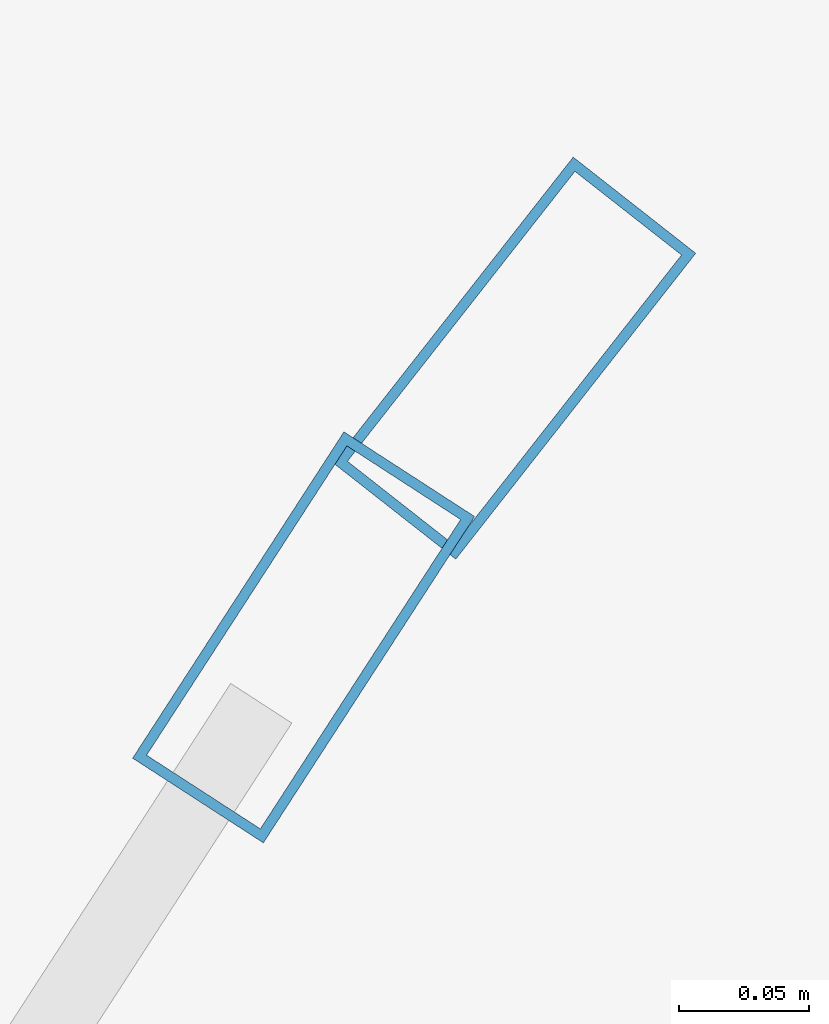
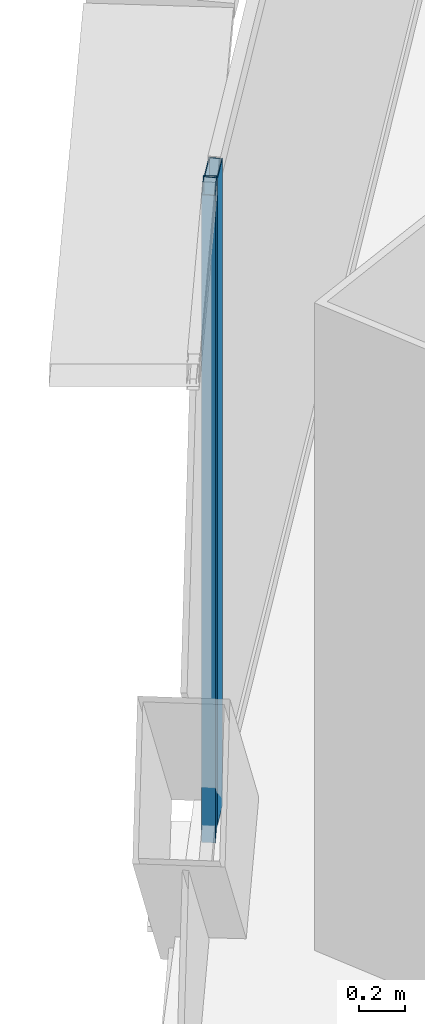
# One storey, part 20 of 40: 2 members, 2 elements without a shape of their own.
"""IFC4 building model written with IfcOpenShell, lengths in metres."""

import ifcopenshell
import ifcopenshell.guid

model = None  # the IFC model being written
_history = None  # IfcOwnerHistory: only IFC2X3 demands one
_inside = {}  # id of a spatial element -> (the spatial element, [elements in it])
_under = {}  # id of a project, library or spatial element -> (it, [spatial elements below it])
_declared = {}  # id of a project -> (the project, [libraries it declares])
_typed = {}  # id of a type object -> (the type object, [elements of that type])
_made_of = {}  # id of a material, layer set ... -> (it, [elements and type objects made of it])


def new_model(schema):
    """Start an empty IFC model of exactly this schema.

    Asked for "IFC4X3", IfcOpenShell would pick the latest addendum, in which some entities
    have other attributes; the version numbers below select the first issue.
    IFC2X3 requires an IfcOwnerHistory on every rooted entity: one is made here for all.
    """
    global model, _history
    if schema == "IFC4X3":
        model = ifcopenshell.file(schema_version=(4, 3, 0, 0))
    else:
        model = ifcopenshell.file(schema=schema)
    _inside.clear()
    _under.clear()
    _declared.clear()
    _typed.clear()
    _made_of.clear()
    _history = None
    if model.schema == "IFC2X3":
        org = make("IfcOrganization", Name="unknown")
        user = make(
            "IfcPersonAndOrganization",
            ThePerson=make("IfcPerson", FamilyName="unknown"),
            TheOrganization=org,
        )
        app = make(
            "IfcApplication",
            ApplicationDeveloper=org,
            Version="unknown",
            ApplicationFullName="unknown",
            ApplicationIdentifier="unknown",
        )
        _history = make(
            "IfcOwnerHistory",
            OwningUser=user,
            OwningApplication=app,
            ChangeAction="ADDED",
            CreationDate=0,
        )
    return model


def make(cls, **values):
    """One entity of the class cls with the attributes given. An attribute that is None is left unset."""
    return model.create_entity(
        cls, **{name: value for name, value in values.items() if value is not None}
    )


def rooted(cls, **values):
    """An entity with a GlobalId (a new one), such as an element, a storey or a relation."""
    return make(cls, GlobalId=ifcopenshell.guid.new(), OwnerHistory=_history, **values)


def si_unit(unit_type, name, prefix=None):
    """IfcSIUnit, for example si_unit("LENGTHUNIT", "METRE", prefix="MILLI")."""
    return make("IfcSIUnit", UnitType=unit_type, Prefix=prefix, Name=name)


def assignment(units):
    """IfcUnitAssignment: the units of a project."""
    return None if units is None else make("IfcUnitAssignment", Units=units)


def point(xyz):
    """IfcCartesianPoint."""
    return None if xyz is None else make("IfcCartesianPoint", Coordinates=xyz)


def direction(xyz):
    """IfcDirection."""
    return None if xyz is None else make("IfcDirection", DirectionRatios=xyz)


def frame(location, z_axis=None, x_axis=None):
    """IfcAxis2Placement3D, a coordinate frame: its origin and axes. An axis left out is left unset."""
    return make(
        "IfcAxis2Placement3D",
        Location=point(location),
        Axis=direction(z_axis),
        RefDirection=direction(x_axis),
    )


def frame_2d(location, x_axis=None):
    """IfcAxis2Placement2D, a coordinate frame in the plane: its origin and x axis."""
    return make(
        "IfcAxis2Placement2D", Location=point(location), RefDirection=direction(x_axis)
    )


def origin():
    """The frame at (0, 0, 0) with its axes left unset."""
    return frame((0.0, 0.0, 0.0))


def origin_2d():
    """The frame at (0, 0) in the plane with its x axis left unset."""
    return frame_2d((0.0, 0.0))


def place(relative_to, where):
    """IfcLocalPlacement: puts the frame where relative to a parent placement (None: the world)."""
    return make(
        "IfcLocalPlacement", PlacementRelTo=relative_to, RelativePlacement=where
    )


def context(
    kind, dimensions, precision=None, world=None, true_north=None, identifier=None
):
    """IfcGeometricRepresentationContext, for example the 3D "Model" context."""
    return make(
        "IfcGeometricRepresentationContext",
        ContextIdentifier=identifier,
        ContextType=kind,
        CoordinateSpaceDimension=dimensions,
        Precision=precision,
        WorldCoordinateSystem=world,
        TrueNorth=true_north,
    )


def subcontext(parent, identifier, kind, view, scale=None):
    """IfcGeometricRepresentationSubContext, for example "Body" below "Model"."""
    return make(
        "IfcGeometricRepresentationSubContext",
        ContextIdentifier=identifier,
        ContextType=kind,
        ParentContext=parent,
        TargetScale=scale,
        TargetView=view,
    )


def project(units=None, contexts=None):
    """IfcProject with its units and contexts."""
    return rooted(
        "IfcProject",
        Name="project",
        RepresentationContexts=contexts,
        UnitsInContext=assignment(units),
    )


def spatial(cls, under=None, at=None, **own):
    """A site, building, storey or space (cls), placed at a placement, below another one or the project."""
    s = rooted(cls, ObjectPlacement=at, **own)
    if under is not None:
        _under.setdefault(under.id(), (under, []))[1].append(s)
    return s


def profile(cls, at=None, kind="AREA", **sizes):
    """A parametric profile (cls). Its sizes go by their IFC names, for example OverallWidth=200.0."""
    return make(cls, ProfileType=kind, Position=at, **sizes)


def hollow_rectangle(**sizes):
    """IfcRectangleHollowProfileDef."""
    return profile("IfcRectangleHollowProfileDef", **sizes)


def extrude(swept, where, along, depth):
    """IfcExtrudedAreaSolid: the profile swept, set in the frame where, extruded along a direction by depth."""
    return make(
        "IfcExtrudedAreaSolid",
        SweptArea=swept,
        Position=where,
        ExtrudedDirection=direction(along),
        Depth=depth,
    )


def shape(context_of_items, identifier, shape_type, items):
    """IfcShapeRepresentation: the items that make up one representation, for example the "Body"."""
    return make(
        "IfcShapeRepresentation",
        ContextOfItems=context_of_items,
        RepresentationIdentifier=identifier,
        RepresentationType=shape_type,
        Items=items,
    )


def source(mapping_origin, context_of_items, identifier, shape_type, items):
    """IfcRepresentationMap: a shape defined once, which mapped items show again and again."""
    return make(
        "IfcRepresentationMap",
        MappingOrigin=mapping_origin,
        MappedRepresentation=shape(context_of_items, identifier, shape_type, items),
    )


def transform(
    local_origin,
    x_axis=None,
    y_axis=None,
    z_axis=None,
    scale=None,
    scale2=None,
    scale3=None,
    uniform=True,
):
    """IfcCartesianTransformationOperator3D, or its non-uniform kind. x_axis, y_axis, z_axis: its Axis1, 2, 3."""
    if uniform:
        return make(
            "IfcCartesianTransformationOperator3D",
            Axis1=direction(x_axis),
            Axis2=direction(y_axis),
            LocalOrigin=point(local_origin),
            Scale=scale,
            Axis3=direction(z_axis),
        )
    return make(
        "IfcCartesianTransformationOperator3DnonUniform",
        Axis1=direction(x_axis),
        Axis2=direction(y_axis),
        LocalOrigin=point(local_origin),
        Scale=scale,
        Axis3=direction(z_axis),
        Scale2=scale2,
        Scale3=scale3,
    )


def mapped(mapping_source, mapping_target):
    """IfcMappedItem: shows the shape of a source again, moved by a transform."""
    return make(
        "IfcMappedItem", MappingSource=mapping_source, MappingTarget=mapping_target
    )


def material(Name=None, Category=None):
    """IfcMaterial."""
    return make("IfcMaterial", Name=Name, Category=Category)


def layer(
    of_material, thickness, ventilated=None, Name=None, Category=None, Priority=None
):
    """IfcMaterialLayer: one layer of a wall or slab, of a material (None: an air gap)."""
    return make(
        "IfcMaterialLayer",
        Material=of_material,
        LayerThickness=thickness,
        IsVentilated=ventilated,
        Name=Name,
        Category=Category,
        Priority=Priority,
    )


def layer_set(layers, Name=None):
    """IfcMaterialLayerSet."""
    return make("IfcMaterialLayerSet", MaterialLayers=layers, LayerSetName=Name)


def material_profile(
    of_material, cross_section, Name=None, Category=None, Priority=None
):
    """IfcMaterialProfile: a cross section and its material."""
    return make(
        "IfcMaterialProfile",
        Name=Name,
        Material=of_material,
        Profile=cross_section,
        Priority=Priority,
        Category=Category,
    )


def profile_set(profiles, Name=None, composite=None):
    """IfcMaterialProfileSet."""
    return make(
        "IfcMaterialProfileSet",
        Name=Name,
        MaterialProfiles=profiles,
        CompositeProfile=composite,
    )


def made_of(thing, what):
    """Note that an element or type object is made of a material, layer set ...; save() writes the relation."""
    if what is not None:
        _made_of.setdefault(what.id(), (what, []))[1].append(thing)
    return thing


def type_object(cls, material=None, **own):
    """A type object (cls), such as IfcWallType, which elements share."""
    return made_of(rooted(cls, **own), material)


def element(
    cls,
    number,
    at=None,
    inside=None,
    cuts=None,
    type_object=None,
    material=None,
    context=None,
    identifier="Body",
    shape_type=None,
    held_by="IfcProductDefinitionShape",
    body=None,
    shapes=None,
    **own,
):
    """One element of the class cls, such as IfcWall. Its Tag is "e" and its number.

    at: its placement. inside: the storey or other place that contains it. cuts: it is an
    opening in that element (IfcRelVoidsElement). A single representation is given by context,
    identifier, shape_type and body (its items); several are given by shapes. held_by: the class
    of the entity that holds the representations. save() writes the other relations.
    """
    e = rooted(cls, Tag="e%d" % number, ObjectPlacement=at, **own)
    if body is not None:
        shapes = [shape(context, identifier, shape_type, body)]
    if shapes is not None:
        e.Representation = make(held_by, Representations=shapes)
    if inside is not None:
        _inside.setdefault(inside.id(), (inside, []))[1].append(e)
    if cuts is not None:
        rooted(
            "IfcRelVoidsElement", RelatingBuildingElement=cuts, RelatedOpeningElement=e
        )
    if type_object is not None:
        _typed.setdefault(type_object.id(), (type_object, []))[1].append(e)
    return made_of(e, material)


def aggregate(whole, parts):
    """IfcRelAggregates: a whole, such as a stair, and the parts it consists of."""
    return rooted("IfcRelAggregates", RelatingObject=whole, RelatedObjects=parts)


def save(model, path):
    """Write the relations noted so far, then the file.

    IfcRelAggregates (storeys below a building ...), IfcRelContainedInSpatialStructure (elements
    in a storey), IfcRelDefinesByType, IfcRelAssociatesMaterial and IfcRelDeclares: one each for
    every whole, place, type object, material and project.
    """
    for whole, parts in _under.values():
        aggregate(whole, parts)
    for where, things in _inside.values():
        rooted(
            "IfcRelContainedInSpatialStructure",
            RelatedElements=things,
            RelatingStructure=where,
        )
    for kind, things in _typed.values():
        rooted("IfcRelDefinesByType", RelatedObjects=things, RelatingType=kind)
    for what, things in _made_of.values():
        rooted("IfcRelAssociatesMaterial", RelatedObjects=things, RelatingMaterial=what)
    for by, libraries in _declared.values():
        rooted("IfcRelDeclares", RelatingContext=by, RelatedDefinitions=libraries)
    model.write(path)


model = new_model("IFC4")

# Units and contexts
model_context = context("Model", 3, precision=1e-05, world=origin(), true_north=direction((0.0, 1.0)))
body_context = subcontext(model_context, "Body", "Model", "MODEL_VIEW")
ifc_project = project(units=[si_unit("LENGTHUNIT", "METRE"), si_unit("AREAUNIT", "SQUARE_METRE"), si_unit("VOLUMEUNIT", "CUBIC_METRE"), si_unit("PLANEANGLEUNIT", "RADIAN"), si_unit("MASSUNIT", "GRAM", prefix="KILO"), si_unit("THERMODYNAMICTEMPERATUREUNIT", "KELVIN"), si_unit("POWERUNIT", "WATT")], contexts=[model_context])

# Site, building, storey
site_placement = place(None, origin())
site = spatial("IfcSite", under=ifc_project, at=site_placement, CompositionType="ELEMENT")
building_placement = place(site_placement, origin())
building = spatial("IfcBuilding", under=site, at=building_placement, Name="Yunzhuo Pagoda Commons", CompositionType="ELEMENT")
storey_placement = place(building_placement, frame((0.0, 0.0, 159.27001953125)))
storey = spatial("IfcBuildingStorey", under=building, at=storey_placement, Name="L40", CompositionType="ELEMENT", Elevation=159.27001953125)

# Curtain wall, member
ifc_material = material(Name="Anodized aluminium 6063-T6", Category="aluminium")
ifc_layer = layer(ifc_material, 0.14990234375)
ifc_layer_set = layer_set([ifc_layer], Name="Anodized aluminium 6063-T6")
curtain_wall_type = type_object("IfcCurtainWallType", Name="CW-MID Mid-Zone Ribbon Curtain Wall", PredefinedType="NOTDEFINED", material=ifc_layer_set)
curtain_wall_1_placement = place(storey_placement, origin())
curtain_wall_1 = element("IfcCurtainWall", 1, at=curtain_wall_1_placement, inside=storey, type_object=curtain_wall_type, Name="L40 curtain wall CW-L40-F3B2", PredefinedType="NOTDEFINED")
ifc_material_profile = material_profile(ifc_material, hollow_rectangle(XDim=0.06005859375, YDim=0.14990234375, WallThickness=0.00390625, at=origin_2d()), Name="Anodized aluminium 6063-T6")
ifc_profile_set = profile_set([ifc_material_profile], Name="Anodized aluminium 6063-T6")
member_type = type_object("IfcMemberType", Name="CW-MID-M Mullion RHS 150x60x4", PredefinedType="MULLION", material=ifc_profile_set)
shared_shape = source(origin(), body_context, "Body", "SweptSolid", [
    extrude(hollow_rectangle(XDim=0.06005859375, YDim=0.14990234375, WallThickness=0.00390625, at=origin_2d()), origin(), (0.0, 0.0, 1.0), 3.419677734375),
])
member_1_placement = place(storey_placement, frame((32.0166015625, 69.53759765625, 0.000244140625), z_axis=(0.0, 0.0, 1.0), x_axis=(0.839392571637, -0.543525630197, 0.0)))
member_1 = element("IfcMember", 2, at=member_1_placement, type_object=member_type, Name="CW mullion 1", PredefinedType="MULLION", context=body_context, shape_type="MappedRepresentation", body=[
    mapped(shared_shape, transform((0.0, 0.0, 0.0), scale=1.0)),
])
aggregate(curtain_wall_1, [member_1])

curtain_wall_2_placement = place(storey_placement, origin())
curtain_wall_2 = element("IfcCurtainWall", 3, at=curtain_wall_2_placement, inside=storey, type_object=curtain_wall_type, Name="L40 curtain wall CW-L40-F3B1", PredefinedType="NOTDEFINED")
member_2_placement = place(storey_placement, frame((32.097900390625, 69.645263671875, 0.000244140625), z_axis=(0.0, 0.0, 1.0), x_axis=(0.786759259697, -0.61725996734, 0.0)))
member_2 = element("IfcMember", 4, at=member_2_placement, type_object=member_type, Name="CW mullion 2", PredefinedType="MULLION", context=body_context, shape_type="MappedRepresentation", body=[
    mapped(shared_shape, transform((0.0, 0.0, 0.0), scale=1.0)),
])
aggregate(curtain_wall_2, [member_2])

save(model, "model.ifc")
